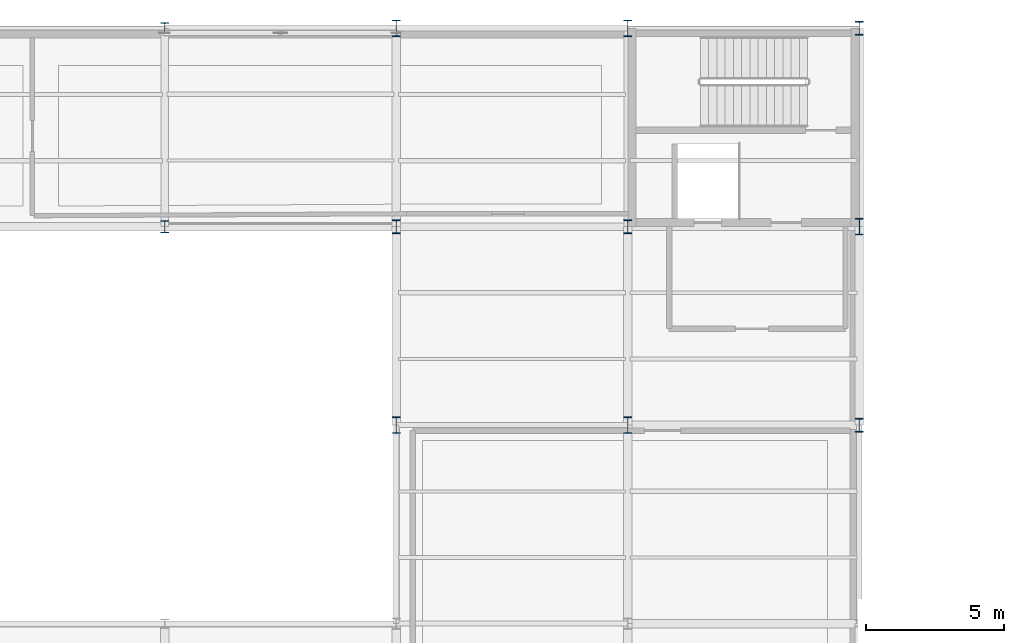
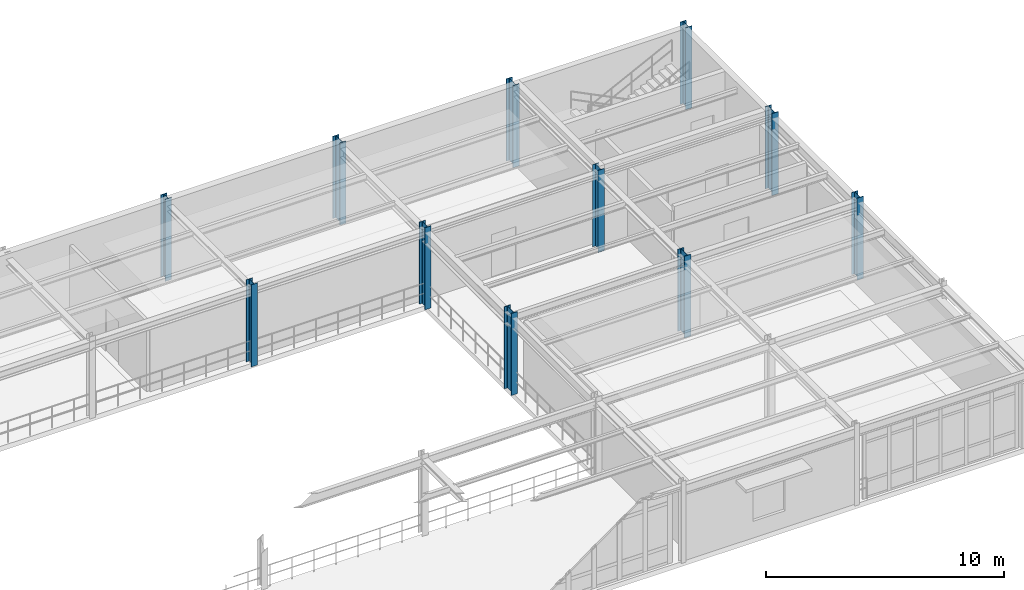
# One storey, part 20 of 90: 11 columns.
"""IFC4 building model written with IfcOpenShell, lengths in metres."""

from ifc_helpers import new_model, si_unit, derived_unit, direction, frame, origin, origin_2d, place, context, subcontext, project, spatial, i_section, extrude, material, material_profile, profile_set, type_object, element, save


model = new_model("IFC4")

# Units and contexts
model_context = context("Model", 3, precision=1e-05, world=origin(), true_north=direction((0.0, 1.0)))
body_context = subcontext(model_context, "Body", "Model", "MODEL_VIEW")
ifc_project = project(units=[si_unit("LENGTHUNIT", "METRE"), si_unit("AREAUNIT", "SQUARE_METRE"), si_unit("VOLUMEUNIT", "CUBIC_METRE"), si_unit("PLANEANGLEUNIT", "RADIAN"), si_unit("MASSUNIT", "GRAM", prefix="KILO"), derived_unit("THERMALTRANSMITTANCEUNIT", [(si_unit("POWERUNIT", "WATT"), 1), (si_unit("AREAUNIT", "SQUARE_METRE"), -1), (si_unit("THERMODYNAMICTEMPERATUREUNIT", "KELVIN"), -1)])], contexts=[model_context])

# Site, building, storey
site_placement = place(None, origin())
site = spatial("IfcSite", under=ifc_project, at=site_placement, CompositionType="ELEMENT")
building_placement = place(site_placement, origin())
building = spatial("IfcBuilding", under=site, at=building_placement, Name="Yasenodar Specialist Clinic", CompositionType="ELEMENT")
storey_placement = place(building_placement, frame((0.0, 0.0, 9.0)))
storey = spatial("IfcBuildingStorey", under=building, at=storey_placement, Name="L02", CompositionType="ELEMENT", Elevation=9.0)

# Columns
ifc_material = material(Name="Steel S355", Category="steel")
ifc_material_profile_1 = material_profile(ifc_material, i_section(OverallWidth=0.300048828125, OverallDepth=0.39990234375, WebThickness=0.013427734375, FlangeThickness=0.02392578125, FilletRadius=0.027099609375, at=origin_2d()), Name="HEB 400")
ifc_profile_set_1 = profile_set([ifc_material_profile_1], Name="Steel S355")
column_type_1 = type_object("IfcColumnType", Name="COL-ST-HEB400", PredefinedType="COLUMN", material=ifc_profile_set_1)
column_1_placement = place(storey_placement, frame((96.60009765625, 111.60009765625, 0.0), z_axis=(0.0, 0.0, 1.0), x_axis=(1.0, 0.0, 0.0)))
element("IfcColumn", 1, at=column_1_placement, inside=storey, type_object=column_type_1, Name="L02 Column V5-116", PredefinedType="COLUMN", context=body_context, shape_type="SweptSolid", body=[
    extrude(i_section(OverallWidth=0.300048828125, OverallDepth=0.39990234375, WebThickness=0.013427734375, FlangeThickness=0.02392578125, FilletRadius=0.027099609375, at=origin_2d()), origin(), (0.0, 0.0, 1.0), 4.199951171875),
])
ifc_material_profile_2 = material_profile(ifc_material, i_section(OverallWidth=0.300048828125, OverallDepth=0.449951171875, WebThickness=0.013916015625, FlangeThickness=0.02587890625, FilletRadius=0.027099609375, at=origin_2d()), Name="HEB 450")
ifc_profile_set_2 = profile_set([ifc_material_profile_2], Name="Steel S355")
column_type_2 = type_object("IfcColumnType", Name="COL-ST-HEB450", PredefinedType="COLUMN", material=ifc_profile_set_2)
column_2_placement = place(storey_placement, frame((96.60009765625, 104.39990234375, 0.0), z_axis=(0.0, 0.0, 1.0), x_axis=(1.0, 0.0, 0.0)))
element("IfcColumn", 2, at=column_2_placement, inside=storey, type_object=column_type_2, Name="L02 Column V5-115", PredefinedType="COLUMN", context=body_context, shape_type="SweptSolid", body=[
    extrude(i_section(OverallWidth=0.300048828125, OverallDepth=0.449951171875, WebThickness=0.013916015625, FlangeThickness=0.02587890625, FilletRadius=0.027099609375, at=origin_2d()), origin(), (0.0, 0.0, 1.0), 4.199951171875),
])
ifc_material_profile_3 = material_profile(ifc_material, i_section(OverallWidth=0.300048828125, OverallDepth=0.5, WebThickness=0.014404296875, FlangeThickness=0.028076171875, FilletRadius=0.027099609375, at=origin_2d()), Name="HEB 500")
ifc_profile_set_3 = profile_set([ifc_material_profile_3], Name="Steel S355")
column_type_3 = type_object("IfcColumnType", Name="COL-ST-HEB500", PredefinedType="COLUMN", material=ifc_profile_set_3)
for number, where, z_axis, x_axis, name in (
    (3, (105.0, 104.39990234375, 0.0), (0.0, 0.0, 1.0), (1.0, 0.0, 0.0), "L02 Column V5-125"),
    (4, (113.39990234375, 104.39990234375, 0.0), (0.0, 0.0, 1.0), (1.0, 0.0, 0.0), "L02 Column V5-135"),
    (5, (121.800048828125, 97.199951171875, 0.0), (0.0, 0.0, 1.0), (1.0, 0.0, 0.0), "L02 Column V5-143"),
    (6, (121.800048828125, 111.60009765625, 0.0), (0.0, 0.0, 1.0), (1.0, 0.0, 0.0), "L02 Column V5-145"),
):
    element("IfcColumn", number, at=place(storey_placement, frame(where, z_axis=z_axis, x_axis=x_axis)), inside=storey, type_object=column_type_3, Name=name, PredefinedType="COLUMN", context=body_context, shape_type="SweptSolid", body=[
        extrude(i_section(OverallWidth=0.300048828125, OverallDepth=0.5, WebThickness=0.014404296875, FlangeThickness=0.028076171875, FilletRadius=0.027099609375, at=origin_2d()), origin(), (0.0, 0.0, 1.0), 4.199951171875),
    ])
ifc_material_profile_4 = material_profile(ifc_material, i_section(OverallWidth=0.300048828125, OverallDepth=0.60009765625, WebThickness=0.015380859375, FlangeThickness=0.030029296875, FilletRadius=0.027099609375, at=origin_2d()), Name="HEB 600")
ifc_profile_set_4 = profile_set([ifc_material_profile_4], Name="Steel S355")
column_type_4 = type_object("IfcColumnType", Name="COL-ST-HEB600", PredefinedType="COLUMN", material=ifc_profile_set_4)
for number, where, z_axis, x_axis, name in (
    (7, (105.0, 97.199951171875, 0.0), (0.0, 0.0, 1.0), (1.0, 0.0, 0.0), "L02 Column V5-124"),
    (8, (105.0, 111.60009765625, 0.0), (0.0, 0.0, 1.0), (1.0, 0.0, 0.0), "L02 Column V5-126"),
    (9, (113.39990234375, 97.199951171875, 0.0), (0.0, 0.0, 1.0), (1.0, 0.0, 0.0), "L02 Column V5-134"),
    (10, (113.39990234375, 111.60009765625, 0.0), (0.0, 0.0, 1.0), (1.0, 0.0, 0.0), "L02 Column V5-136"),
    (11, (121.800048828125, 104.39990234375, 0.0), (0.0, 0.0, 1.0), (1.0, 0.0, 0.0), "L02 Column V5-144"),
):
    element("IfcColumn", number, at=place(storey_placement, frame(where, z_axis=z_axis, x_axis=x_axis)), inside=storey, type_object=column_type_4, Name=name, PredefinedType="COLUMN", context=body_context, shape_type="SweptSolid", body=[
        extrude(i_section(OverallWidth=0.300048828125, OverallDepth=0.60009765625, WebThickness=0.015380859375, FlangeThickness=0.030029296875, FilletRadius=0.027099609375, at=origin_2d()), origin(), (0.0, 0.0, 1.0), 4.199951171875),
    ])

save(model, "model.ifc")
